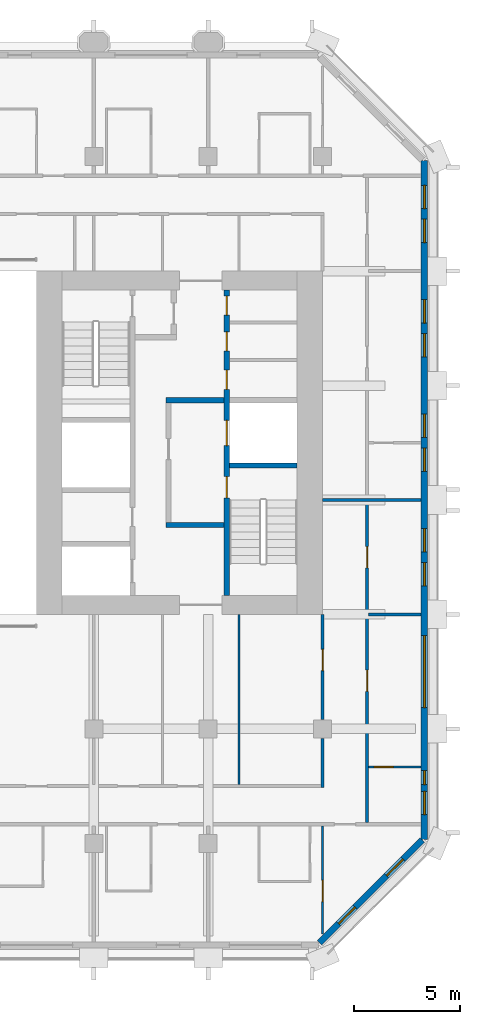
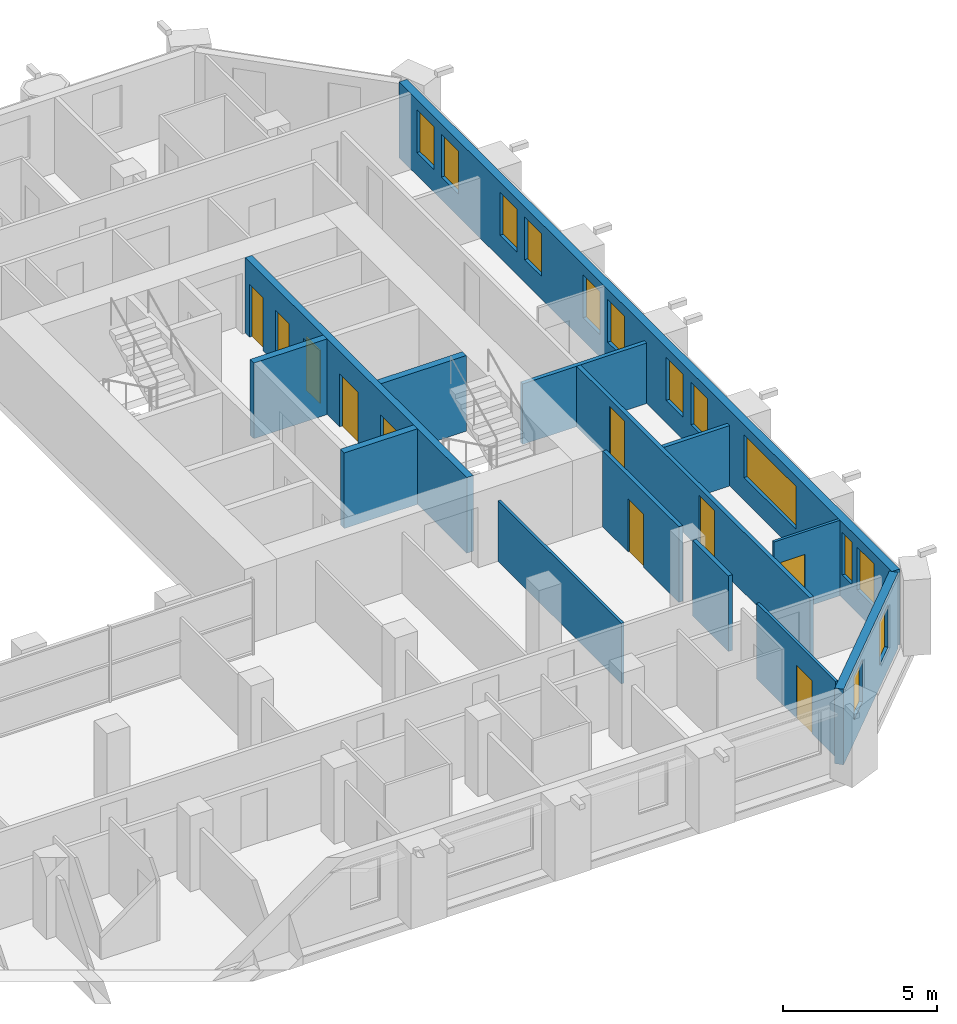
# One storey, part 8 of 13: 14 walls, 13 windows, 10 doors, 23 openings.
"""IFC4 building model written with IfcOpenShell, lengths in metres."""

import ifcopenshell
import ifcopenshell.guid

model = None  # the IFC model being written
_history = None  # IfcOwnerHistory: only IFC2X3 demands one
_inside = {}  # id of a spatial element -> (the spatial element, [elements in it])
_under = {}  # id of a project, library or spatial element -> (it, [spatial elements below it])
_declared = {}  # id of a project -> (the project, [libraries it declares])
_typed = {}  # id of a type object -> (the type object, [elements of that type])
_made_of = {}  # id of a material, layer set ... -> (it, [elements and type objects made of it])


def new_model(schema):
    """Start an empty IFC model of exactly this schema.

    Asked for "IFC4X3", IfcOpenShell would pick the latest addendum, in which some entities
    have other attributes; the version numbers below select the first issue.
    IFC2X3 requires an IfcOwnerHistory on every rooted entity: one is made here for all.
    """
    global model, _history
    if schema == "IFC4X3":
        model = ifcopenshell.file(schema_version=(4, 3, 0, 0))
    else:
        model = ifcopenshell.file(schema=schema)
    _inside.clear()
    _under.clear()
    _declared.clear()
    _typed.clear()
    _made_of.clear()
    _history = None
    if model.schema == "IFC2X3":
        org = make("IfcOrganization", Name="unknown")
        user = make(
            "IfcPersonAndOrganization",
            ThePerson=make("IfcPerson", FamilyName="unknown"),
            TheOrganization=org,
        )
        app = make(
            "IfcApplication",
            ApplicationDeveloper=org,
            Version="unknown",
            ApplicationFullName="unknown",
            ApplicationIdentifier="unknown",
        )
        _history = make(
            "IfcOwnerHistory",
            OwningUser=user,
            OwningApplication=app,
            ChangeAction="ADDED",
            CreationDate=0,
        )
    return model


def make(cls, **values):
    """One entity of the class cls with the attributes given. An attribute that is None is left unset."""
    return model.create_entity(
        cls, **{name: value for name, value in values.items() if value is not None}
    )


def rooted(cls, **values):
    """An entity with a GlobalId (a new one), such as an element, a storey or a relation."""
    return make(cls, GlobalId=ifcopenshell.guid.new(), OwnerHistory=_history, **values)


def si_unit(unit_type, name, prefix=None):
    """IfcSIUnit, for example si_unit("LENGTHUNIT", "METRE", prefix="MILLI")."""
    return make("IfcSIUnit", UnitType=unit_type, Prefix=prefix, Name=name)


def assignment(units):
    """IfcUnitAssignment: the units of a project."""
    return None if units is None else make("IfcUnitAssignment", Units=units)


def point(xyz):
    """IfcCartesianPoint."""
    return None if xyz is None else make("IfcCartesianPoint", Coordinates=xyz)


def direction(xyz):
    """IfcDirection."""
    return None if xyz is None else make("IfcDirection", DirectionRatios=xyz)


def frame(location, z_axis=None, x_axis=None):
    """IfcAxis2Placement3D, a coordinate frame: its origin and axes. An axis left out is left unset."""
    return make(
        "IfcAxis2Placement3D",
        Location=point(location),
        Axis=direction(z_axis),
        RefDirection=direction(x_axis),
    )


def frame_2d(location, x_axis=None):
    """IfcAxis2Placement2D, a coordinate frame in the plane: its origin and x axis."""
    return make(
        "IfcAxis2Placement2D", Location=point(location), RefDirection=direction(x_axis)
    )


def origin():
    """The frame at (0, 0, 0) with its axes left unset."""
    return frame((0.0, 0.0, 0.0))


def place(relative_to, where):
    """IfcLocalPlacement: puts the frame where relative to a parent placement (None: the world)."""
    return make(
        "IfcLocalPlacement", PlacementRelTo=relative_to, RelativePlacement=where
    )


def context(
    kind, dimensions, precision=None, world=None, true_north=None, identifier=None
):
    """IfcGeometricRepresentationContext, for example the 3D "Model" context."""
    return make(
        "IfcGeometricRepresentationContext",
        ContextIdentifier=identifier,
        ContextType=kind,
        CoordinateSpaceDimension=dimensions,
        Precision=precision,
        WorldCoordinateSystem=world,
        TrueNorth=true_north,
    )


def subcontext(parent, identifier, kind, view, scale=None):
    """IfcGeometricRepresentationSubContext, for example "Body" below "Model"."""
    return make(
        "IfcGeometricRepresentationSubContext",
        ContextIdentifier=identifier,
        ContextType=kind,
        ParentContext=parent,
        TargetScale=scale,
        TargetView=view,
    )


def project(units=None, contexts=None):
    """IfcProject with its units and contexts."""
    return rooted(
        "IfcProject",
        Name="project",
        RepresentationContexts=contexts,
        UnitsInContext=assignment(units),
    )


def spatial(cls, under=None, at=None, **own):
    """A site, building, storey or space (cls), placed at a placement, below another one or the project."""
    s = rooted(cls, ObjectPlacement=at, **own)
    if under is not None:
        _under.setdefault(under.id(), (under, []))[1].append(s)
    return s


def profile(cls, at=None, kind="AREA", **sizes):
    """A parametric profile (cls). Its sizes go by their IFC names, for example OverallWidth=200.0."""
    return make(cls, ProfileType=kind, Position=at, **sizes)


def rectangle(**sizes):
    """IfcRectangleProfileDef."""
    return profile("IfcRectangleProfileDef", **sizes)


def extrude(swept, where, along, depth):
    """IfcExtrudedAreaSolid: the profile swept, set in the frame where, extruded along a direction by depth."""
    return make(
        "IfcExtrudedAreaSolid",
        SweptArea=swept,
        Position=where,
        ExtrudedDirection=direction(along),
        Depth=depth,
    )


def shape(context_of_items, identifier, shape_type, items):
    """IfcShapeRepresentation: the items that make up one representation, for example the "Body"."""
    return make(
        "IfcShapeRepresentation",
        ContextOfItems=context_of_items,
        RepresentationIdentifier=identifier,
        RepresentationType=shape_type,
        Items=items,
    )


def material(Name=None, Category=None):
    """IfcMaterial."""
    return make("IfcMaterial", Name=Name, Category=Category)


def layer(
    of_material, thickness, ventilated=None, Name=None, Category=None, Priority=None
):
    """IfcMaterialLayer: one layer of a wall or slab, of a material (None: an air gap)."""
    return make(
        "IfcMaterialLayer",
        Material=of_material,
        LayerThickness=thickness,
        IsVentilated=ventilated,
        Name=Name,
        Category=Category,
        Priority=Priority,
    )


def layer_set(layers, Name=None):
    """IfcMaterialLayerSet."""
    return make("IfcMaterialLayerSet", MaterialLayers=layers, LayerSetName=Name)


def made_of(thing, what):
    """Note that an element or type object is made of a material, layer set ...; save() writes the relation."""
    if what is not None:
        _made_of.setdefault(what.id(), (what, []))[1].append(thing)
    return thing


def type_object(cls, material=None, **own):
    """A type object (cls), such as IfcWallType, which elements share."""
    return made_of(rooted(cls, **own), material)


def element(
    cls,
    number,
    at=None,
    inside=None,
    cuts=None,
    type_object=None,
    material=None,
    context=None,
    identifier="Body",
    shape_type=None,
    held_by="IfcProductDefinitionShape",
    body=None,
    shapes=None,
    **own,
):
    """One element of the class cls, such as IfcWall. Its Tag is "e" and its number.

    at: its placement. inside: the storey or other place that contains it. cuts: it is an
    opening in that element (IfcRelVoidsElement). A single representation is given by context,
    identifier, shape_type and body (its items); several are given by shapes. held_by: the class
    of the entity that holds the representations. save() writes the other relations.
    """
    e = rooted(cls, Tag="e%d" % number, ObjectPlacement=at, **own)
    if body is not None:
        shapes = [shape(context, identifier, shape_type, body)]
    if shapes is not None:
        e.Representation = make(held_by, Representations=shapes)
    if inside is not None:
        _inside.setdefault(inside.id(), (inside, []))[1].append(e)
    if cuts is not None:
        rooted(
            "IfcRelVoidsElement", RelatingBuildingElement=cuts, RelatedOpeningElement=e
        )
    if type_object is not None:
        _typed.setdefault(type_object.id(), (type_object, []))[1].append(e)
    return made_of(e, material)


def fill(opening, filler):
    """IfcRelFillsElement: the door or window that sits in an opening."""
    return rooted(
        "IfcRelFillsElement",
        RelatingOpeningElement=opening,
        RelatedBuildingElement=filler,
    )


def aggregate(whole, parts):
    """IfcRelAggregates: a whole, such as a stair, and the parts it consists of."""
    return rooted("IfcRelAggregates", RelatingObject=whole, RelatedObjects=parts)


def save(model, path):
    """Write the relations noted so far, then the file.

    IfcRelAggregates (storeys below a building ...), IfcRelContainedInSpatialStructure (elements
    in a storey), IfcRelDefinesByType, IfcRelAssociatesMaterial and IfcRelDeclares: one each for
    every whole, place, type object, material and project.
    """
    for whole, parts in _under.values():
        aggregate(whole, parts)
    for where, things in _inside.values():
        rooted(
            "IfcRelContainedInSpatialStructure",
            RelatedElements=things,
            RelatingStructure=where,
        )
    for kind, things in _typed.values():
        rooted("IfcRelDefinesByType", RelatedObjects=things, RelatingType=kind)
    for what, things in _made_of.values():
        rooted("IfcRelAssociatesMaterial", RelatedObjects=things, RelatingMaterial=what)
    for by, libraries in _declared.values():
        rooted("IfcRelDeclares", RelatingContext=by, RelatedDefinitions=libraries)
    model.write(path)


model = new_model("IFC4")

# Units and contexts
model_context = context("Model", 3, precision=1e-05, world=origin(), true_north=direction((0.0, 1.0)))
body_context = subcontext(model_context, "Body", "Model", "MODEL_VIEW")
ifc_project = project(units=[si_unit("LENGTHUNIT", "METRE"), si_unit("AREAUNIT", "SQUARE_METRE"), si_unit("VOLUMEUNIT", "CUBIC_METRE"), si_unit("PLANEANGLEUNIT", "RADIAN"), si_unit("MASSUNIT", "GRAM", prefix="KILO")], contexts=[model_context])

# Site, building, storey
site_placement = place(None, origin())
site = spatial("IfcSite", under=ifc_project, at=site_placement, CompositionType="ELEMENT")
building_placement = place(site_placement, origin())
building = spatial("IfcBuilding", under=site, at=building_placement, Name="Tabaq Tower and Sports Hall", CompositionType="ELEMENT")
storey_placement = place(building_placement, frame((0.0, 0.0, 162.699951171875)))
storey = spatial("IfcBuildingStorey", under=building, at=storey_placement, Name="L38", CompositionType="ELEMENT", Elevation=162.699951171875)

# Wall, opening, door
ifc_material_1 = material(Name="Gypsum board on steel studs", Category="steel")
ifc_layer_1 = layer(ifc_material_1, 0.10009765625)
ifc_layer_set_1 = layer_set([ifc_layer_1], Name="Partition 100 Gypsum board")
wall_type_1 = type_object("IfcWallType", Name="Partition 100 Gypsum board", PredefinedType="PARTITIONING", material=ifc_layer_set_1)
wall_1_placement = place(storey_placement, frame((45.375, 9.0, 0.0), z_axis=(0.0, 0.0, 1.0), x_axis=(1.0, 0.0, 0.0)))
wall_1 = element("IfcWall", 1, at=wall_1_placement, inside=storey, type_object=wall_type_1, Name="Partition wall L38", PredefinedType="PARTITIONING", context=body_context, shape_type="SweptSolid", body=[
    extrude(rectangle(XDim=2.47412109375, YDim=0.10009765625, at=frame_2d((1.237060546875, 0.0))), origin(), (0.0, 0.0, 1.0), 3.0),
])
opening_1_placement = place(wall_1_placement, frame((0.25, 0.0, 0.0)))
opening_1 = element("IfcOpeningElement", 2, at=opening_1_placement, cuts=wall_1, Name="Opening L38-015", PredefinedType="OPENING", context=body_context, shape_type="SweptSolid", body=[
    extrude(rectangle(XDim=0.89990234375, YDim=2.10009765625, at=frame_2d((0.449951171875, 1.050048828125))), frame((0.0, 0.050048828125, 0.0), z_axis=(0.0, -1.0, 0.0), x_axis=(1.0, 0.0, 0.0)), (0.0, 0.0, 1.0), 0.10009765625),
])
ifc_material_2 = material(Name="Timber leaf in steel frame", Category="steel")
door_type_1 = type_object("IfcDoorType", Name="Internal door 900 right hand", OperationType="SINGLE_SWING_RIGHT", PredefinedType="DOOR", material=ifc_material_2)
door_1_placement = place(opening_1_placement, origin())
door_1 = element("IfcDoor", 3, at=door_1_placement, inside=storey, type_object=door_type_1, Name="Internal door L38-015", OperationType="SINGLE_SWING_RIGHT", OverallHeight=2.10009765625, OverallWidth=0.89990234375, PredefinedType="DOOR", context=body_context, shape_type="SweptSolid", body=[
    extrude(rectangle(XDim=0.89990234375, YDim=2.10009765625, at=frame_2d((0.449951171875, 1.050048828125))), frame((0.0, 0.02490234375, 0.0), z_axis=(0.0, -1.0, 0.0), x_axis=(1.0, 0.0, 0.0)), (0.0, 0.0, 1.0), 0.050048828125),
])
fill(opening_1, door_1)

wall_2_placement = place(storey_placement, frame((43.199951171875, 1.112060546875, 0.0), z_axis=(0.0, 0.0, 1.0), x_axis=(0.0, 1.0, 0.0)))
wall_2 = element("IfcWall", 4, at=wall_2_placement, inside=storey, type_object=wall_type_1, Name="Partition wall L38", PredefinedType="PARTITIONING", context=body_context, shape_type="SweptSolid", body=[
    extrude(rectangle(XDim=5.113037109375, YDim=0.10009765625, at=frame_2d((2.556640625, 0.0))), origin(), (0.0, 0.0, 1.0), 3.0),
])
opening_2_placement = place(wall_2_placement, frame((1.537841796875, 0.0, 0.0)))
opening_2 = element("IfcOpeningElement", 5, at=opening_2_placement, cuts=wall_2, Name="Opening L38-046", PredefinedType="OPENING", context=body_context, shape_type="SweptSolid", body=[
    extrude(rectangle(XDim=1.0, YDim=2.10009765625, at=frame_2d((0.5, 1.050048828125))), frame((0.0, 0.050048828125, 0.0), z_axis=(0.0, -1.0, 0.0), x_axis=(1.0, 0.0, 0.0)), (0.0, 0.0, 1.0), 0.10009765625),
])
ifc_material_3 = material(Name="Timber leaf in steel frame", Category="steel")
door_type_2 = type_object("IfcDoorType", Name="Internal door 1000 left hand", OperationType="SINGLE_SWING_LEFT", PredefinedType="DOOR", material=ifc_material_3)
door_2_placement = place(opening_2_placement, origin())
door_2 = element("IfcDoor", 6, at=door_2_placement, inside=storey, type_object=door_type_2, Name="Internal door L38-046", OperationType="SINGLE_SWING_LEFT", OverallHeight=2.10009765625, OverallWidth=1.0, PredefinedType="DOOR", context=body_context, shape_type="SweptSolid", body=[
    extrude(rectangle(XDim=1.0, YDim=2.10009765625, at=frame_2d((0.5, 1.050048828125))), frame((0.0, 0.02490234375, 0.0), z_axis=(0.0, -1.0, 0.0), x_axis=(1.0, 0.0, 0.0)), (0.0, 0.0, 1.0), 0.050048828125),
])
fill(opening_2, door_2)

# Walls
wall_3_placement = place(storey_placement, frame((39.25, 8.175048828125, 0.0), z_axis=(0.0, 0.0, 1.0), x_axis=(0.0, 1.0, 0.0)))
element("IfcWall", 7, at=wall_3_placement, inside=storey, type_object=wall_type_1, Name="Partition wall L38", PredefinedType="PARTITIONING", context=body_context, shape_type="SweptSolid", body=[
    extrude(rectangle(XDim=8.02490234375, YDim=0.10009765625, at=frame_2d((4.012451171875, 0.0))), origin(), (0.0, 0.0, 1.0), 2.400146484375),
])
ifc_material_4 = material(Name="Blockwork", Category="masonry")
ifc_layer_2 = layer(ifc_material_4, 0.14990234375)
ifc_layer_set_2 = layer_set([ifc_layer_2], Name="Separating wall 150 Blockwork")
wall_type_2 = type_object("IfcWallType", Name="Separating wall 150 Blockwork", PredefinedType="PARTITIONING", material=ifc_layer_set_2)
wall_4_placement = place(storey_placement, frame((43.199951171875, 21.60009765625, 0.0), z_axis=(0.0, 0.0, 1.0), x_axis=(1.0, 0.0, 0.0)))
element("IfcWall", 8, at=wall_4_placement, inside=storey, type_object=wall_type_2, Name="Separating wall L38", PredefinedType="PARTITIONING", context=body_context, shape_type="SweptSolid", body=[
    extrude(rectangle(XDim=4.649169921875, YDim=0.14990234375, at=frame_2d((2.32470703125, 0.0))), origin(), (0.0, 0.0, 1.0), 2.400146484375),
])
wall_5_placement = place(storey_placement, frame((47.84912109375, 16.199951171875, 0.0), z_axis=(0.0, 0.0, 1.0), x_axis=(-1.0, 0.0, 0.0)))
element("IfcWall", 9, at=wall_5_placement, inside=storey, type_object=wall_type_2, Name="Separating wall L38", PredefinedType="PARTITIONING", context=body_context, shape_type="SweptSolid", body=[
    extrude(rectangle(XDim=2.47412109375, YDim=0.14990234375, at=frame_2d((1.237060546875, 0.0))), origin(), (0.0, 0.0, 1.0), 2.400146484375),
])

# Wall, openings, doors
wall_6_placement = place(storey_placement, frame((45.300048828125, 21.52490234375, 0.0), z_axis=(0.0, 0.0, 1.0), x_axis=(0.0, -1.0, 0.0)))
wall_6 = element("IfcWall", 10, at=wall_6_placement, inside=storey, type_object=wall_type_2, Name="Separating wall L38", PredefinedType="PARTITIONING", context=body_context, shape_type="SweptSolid", body=[
    extrude(rectangle(XDim=15.14990234375, YDim=0.14990234375, at=frame_2d((7.574951171875, 0.0))), origin(), (0.0, 0.0, 1.0), 2.400146484375),
])
opening_3_placement = place(wall_6_placement, frame((2.125, 0.0, 0.0)))
opening_3 = element("IfcOpeningElement", 11, at=opening_3_placement, cuts=wall_6, Name="Opening L38-023", PredefinedType="OPENING", context=body_context, shape_type="SweptSolid", body=[
    extrude(rectangle(XDim=1.0, YDim=2.10009765625, at=frame_2d((0.5, 1.050048828125))), frame((0.0, 0.074951171875, 0.0), z_axis=(0.0, -1.0, 0.0), x_axis=(1.0, 0.0, 0.0)), (0.0, 0.0, 1.0), 0.14990234375),
])
opening_4_placement = place(wall_6_placement, frame((7.9580078125, 0.0, 0.0)))
opening_4 = element("IfcOpeningElement", 12, at=opening_4_placement, cuts=wall_6, Name="Opening L38-039", PredefinedType="OPENING", context=body_context, shape_type="SweptSolid", body=[
    extrude(rectangle(XDim=1.0, YDim=2.10009765625, at=frame_2d((0.5, 1.050048828125))), frame((0.0, 0.074951171875, 0.0), z_axis=(0.0, -1.0, 0.0), x_axis=(1.0, 0.0, 0.0)), (0.0, 0.0, 1.0), 0.14990234375),
])
ifc_material_5 = material(Name="Steel fire door", Category="steel")
door_type_3 = type_object("IfcDoorType", Name="Entrance door 1000 left hand", OperationType="SINGLE_SWING_LEFT", PredefinedType="DOOR", material=ifc_material_5)
door_3_placement = place(opening_4_placement, origin())
door_3 = element("IfcDoor", 13, at=door_3_placement, inside=storey, type_object=door_type_3, Name="Entrance door L38-039", OperationType="SINGLE_SWING_LEFT", OverallHeight=2.10009765625, OverallWidth=1.0, PredefinedType="DOOR", context=body_context, shape_type="SweptSolid", body=[
    extrude(rectangle(XDim=1.0, YDim=2.10009765625, at=frame_2d((0.5, 1.050048828125))), frame((0.0, 0.02490234375, 0.0), z_axis=(0.0, -1.0, 0.0), x_axis=(1.0, 0.0, 0.0)), (0.0, 0.0, 1.0), 0.050048828125),
])
fill(opening_4, door_3)
ifc_material_6 = material(Name="Timber leaf in steel frame", Category="steel")
door_type_4 = type_object("IfcDoorType", Name="Internal door 1000 right hand", OperationType="SINGLE_SWING_RIGHT", PredefinedType="DOOR", material=ifc_material_6)
door_4_placement = place(opening_3_placement, origin())
door_4 = element("IfcDoor", 14, at=door_4_placement, inside=storey, type_object=door_type_4, Name="Internal door L38-023", OperationType="SINGLE_SWING_RIGHT", OverallHeight=2.10009765625, OverallWidth=1.0, PredefinedType="DOOR", context=body_context, shape_type="SweptSolid", body=[
    extrude(rectangle(XDim=1.0, YDim=2.10009765625, at=frame_2d((0.5, 1.050048828125))), frame((0.0, 0.02490234375, 0.0), z_axis=(0.0, -1.0, 0.0), x_axis=(1.0, 0.0, 0.0)), (0.0, 0.0, 1.0), 0.050048828125),
])
fill(opening_3, door_4)

# Wall, opening, door
wall_7_placement = place(storey_placement, frame((43.199951171875, 16.199951171875, 0.0), z_axis=(0.0, 0.0, 1.0), x_axis=(0.0, -1.0, 0.0)))
wall_7 = element("IfcWall", 15, at=wall_7_placement, inside=storey, type_object=wall_type_2, Name="Separating wall L38", PredefinedType="PARTITIONING", context=body_context, shape_type="SweptSolid", body=[
    extrude(rectangle(XDim=4.954833984375, YDim=0.14990234375, at=frame_2d((2.4775390625, 0.0))), origin(), (0.0, 0.0, 1.0), 3.0),
])
opening_5_placement = place(wall_7_placement, frame((1.654052734375, 0.0, 0.0)))
opening_5 = element("IfcOpeningElement", 16, at=opening_5_placement, cuts=wall_7, Name="Opening L38-026", PredefinedType="OPENING", context=body_context, shape_type="SweptSolid", body=[
    extrude(rectangle(XDim=1.0, YDim=2.10009765625, at=frame_2d((0.5, 1.050048828125))), frame((0.0, 0.074951171875, 0.0), z_axis=(0.0, -1.0, 0.0), x_axis=(1.0, 0.0, 0.0)), (0.0, 0.0, 1.0), 0.14990234375),
])
door_5_placement = place(opening_5_placement, origin())
door_5 = element("IfcDoor", 17, at=door_5_placement, inside=storey, type_object=door_type_2, Name="Internal door L38-026", OperationType="SINGLE_SWING_LEFT", OverallHeight=2.10009765625, OverallWidth=1.0, PredefinedType="DOOR", context=body_context, shape_type="SweptSolid", body=[
    extrude(rectangle(XDim=1.0, YDim=2.10009765625, at=frame_2d((0.5, 1.050048828125))), frame((0.0, 0.02490234375, 0.0), z_axis=(0.0, -1.0, 0.0), x_axis=(1.0, 0.0, 0.0)), (0.0, 0.0, 1.0), 0.050048828125),
])
fill(opening_5, door_5)

# Wall
wall_8_placement = place(storey_placement, frame((43.199951171875, 10.35498046875, 0.0), z_axis=(0.0, 0.0, 1.0), x_axis=(0.0, -1.0, 0.0)))
element("IfcWall", 18, at=wall_8_placement, inside=storey, type_object=wall_type_2, Name="Separating wall L38", PredefinedType="PARTITIONING", context=body_context, shape_type="SweptSolid", body=[
    extrude(rectangle(XDim=2.330078125, YDim=0.14990234375, at=frame_2d((1.1650390625, 0.0))), origin(), (0.0, 0.0, 1.0), 3.0),
])

# Wall, openings, doors
ifc_material_7 = material(Name="Concrete C40/50", Category="concrete")
ifc_layer_3 = layer(ifc_material_7, 0.25)
ifc_layer_set_3 = layer_set([ifc_layer_3], Name="Shaft and stair wall 250 Concrete C40/50")
wall_type_3 = type_object("IfcWallType", Name="Shaft and stair wall 250 Concrete C40/50", PredefinedType="SOLIDWALL", material=ifc_layer_set_3)
wall_9_placement = place(storey_placement, frame((38.675048828125, 17.10009765625, 0.0), z_axis=(0.0, 0.0, 1.0), x_axis=(0.0, 1.0, 0.0)))
wall_9 = element("IfcWall", 19, at=wall_9_placement, inside=storey, type_object=wall_type_3, Name="Shaft wall E L38", PredefinedType="SOLIDWALL", context=body_context, shape_type="SweptSolid", body=[
    extrude(rectangle(XDim=14.39990234375, YDim=0.25, at=frame_2d((7.199951171875, 0.0))), origin(), (0.0, 0.0, 1.0), 3.0),
])
opening_6_placement = place(wall_9_placement, frame((4.60009765625, 0.0, 0.0)))
opening_6 = element("IfcOpeningElement", 20, at=opening_6_placement, cuts=wall_9, Name="Opening SD-EL38-03", PredefinedType="OPENING", context=body_context, shape_type="SweptSolid", body=[
    extrude(rectangle(XDim=1.0, YDim=2.10009765625, at=frame_2d((0.5, 1.050048828125))), frame((0.0, 0.125, 0.0), z_axis=(0.0, -1.0, 0.0), x_axis=(1.0, 0.0, 0.0)), (0.0, 0.0, 1.0), 0.25),
])
opening_7_placement = place(wall_9_placement, frame((7.0625, 0.0, 0.0)))
opening_7 = element("IfcOpeningElement", 21, at=opening_7_placement, cuts=wall_9, Name="Opening LD-FF2-L38", PredefinedType="OPENING", context=body_context, shape_type="SweptSolid", body=[
    extrude(rectangle(XDim=1.199951171875, YDim=2.10009765625, at=frame_2d((0.60009765625, 1.050048828125))), frame((0.0, 0.125, 0.0), z_axis=(0.0, -1.0, 0.0), x_axis=(1.0, 0.0, 0.0)), (0.0, 0.0, 1.0), 0.25),
])
opening_8_placement = place(wall_9_placement, frame((9.7255859375, 0.0, 0.0)))
opening_8 = element("IfcOpeningElement", 22, at=opening_8_placement, cuts=wall_9, Name="Opening RD-EL38-09", PredefinedType="OPENING", context=body_context, shape_type="SweptSolid", body=[
    extrude(rectangle(XDim=0.89990234375, YDim=2.10009765625, at=frame_2d((0.449951171875, 1.050048828125))), frame((0.0, 0.125, 0.0), z_axis=(0.0, -1.0, 0.0), x_axis=(1.0, 0.0, 0.0)), (0.0, 0.0, 1.0), 0.25),
])
opening_9_placement = place(wall_9_placement, frame((11.5390625, 0.0, 0.0)))
opening_9 = element("IfcOpeningElement", 23, at=opening_9_placement, cuts=wall_9, Name="Opening RD-EL38-10", PredefinedType="OPENING", context=body_context, shape_type="SweptSolid", body=[
    extrude(rectangle(XDim=0.89990234375, YDim=2.10009765625, at=frame_2d((0.449951171875, 1.050048828125))), frame((0.0, 0.125, 0.0), z_axis=(0.0, -1.0, 0.0), x_axis=(1.0, 0.0, 0.0)), (0.0, 0.0, 1.0), 0.25),
])
opening_10_placement = place(wall_9_placement, frame((13.22607421875, 0.0, 0.0)))
opening_10 = element("IfcOpeningElement", 24, at=opening_10_placement, cuts=wall_9, Name="Opening RD-EL38-11", PredefinedType="OPENING", context=body_context, shape_type="SweptSolid", body=[
    extrude(rectangle(XDim=0.89990234375, YDim=2.10009765625, at=frame_2d((0.449951171875, 1.050048828125))), frame((0.0, 0.125, 0.0), z_axis=(0.0, -1.0, 0.0), x_axis=(1.0, 0.0, 0.0)), (0.0, 0.0, 1.0), 0.25),
])
ifc_material_8 = material(Name="Steel fire door", Category="steel")
door_type_5 = type_object("IfcDoorType", Name="Core room door 900", OperationType="SINGLE_SWING_LEFT", PredefinedType="DOOR", material=ifc_material_8)
door_6_placement = place(opening_8_placement, origin())
door_6 = element("IfcDoor", 25, at=door_6_placement, inside=storey, type_object=door_type_5, Name="Door Accessible WC E L38", OperationType="SINGLE_SWING_LEFT", OverallHeight=2.10009765625, OverallWidth=0.89990234375, PredefinedType="DOOR", context=body_context, shape_type="SweptSolid", body=[
    extrude(rectangle(XDim=0.89990234375, YDim=2.10009765625, at=frame_2d((0.449951171875, 1.050048828125))), frame((0.0, 0.02490234375, 0.0), z_axis=(0.0, -1.0, 0.0), x_axis=(1.0, 0.0, 0.0)), (0.0, 0.0, 1.0), 0.050048828125),
])
fill(opening_8, door_6)
door_7_placement = place(opening_9_placement, origin())
door_7 = element("IfcDoor", 26, at=door_7_placement, inside=storey, type_object=door_type_5, Name="Door Unisex WC E L38", OperationType="SINGLE_SWING_LEFT", OverallHeight=2.10009765625, OverallWidth=0.89990234375, PredefinedType="DOOR", context=body_context, shape_type="SweptSolid", body=[
    extrude(rectangle(XDim=0.89990234375, YDim=2.10009765625, at=frame_2d((0.449951171875, 1.050048828125))), frame((0.0, 0.02490234375, 0.0), z_axis=(0.0, -1.0, 0.0), x_axis=(1.0, 0.0, 0.0)), (0.0, 0.0, 1.0), 0.050048828125),
])
fill(opening_9, door_7)
door_8_placement = place(opening_10_placement, origin())
door_8 = element("IfcDoor", 27, at=door_8_placement, inside=storey, type_object=door_type_5, Name="Door Cleaner's Store E L38", OperationType="SINGLE_SWING_LEFT", OverallHeight=2.10009765625, OverallWidth=0.89990234375, PredefinedType="DOOR", context=body_context, shape_type="SweptSolid", body=[
    extrude(rectangle(XDim=0.89990234375, YDim=2.10009765625, at=frame_2d((0.449951171875, 1.050048828125))), frame((0.0, 0.02490234375, 0.0), z_axis=(0.0, -1.0, 0.0), x_axis=(1.0, 0.0, 0.0)), (0.0, 0.0, 1.0), 0.050048828125),
])
fill(opening_10, door_8)
ifc_material_9 = material(Name="Stainless steel", Category="steel")
door_type_6 = type_object("IfcDoorType", Name="Lift landing door 1200", OperationType="DOUBLE_DOOR_SLIDING", PredefinedType="DOOR", material=ifc_material_9)
door_9_placement = place(opening_7_placement, origin())
door_9 = element("IfcDoor", 28, at=door_9_placement, inside=storey, type_object=door_type_6, Name="Lift landing door FF2 E L38", OperationType="DOUBLE_DOOR_SLIDING", OverallHeight=2.10009765625, OverallWidth=1.199951171875, PredefinedType="DOOR", context=body_context, shape_type="SweptSolid", body=[
    extrude(rectangle(XDim=1.199951171875, YDim=2.10009765625, at=frame_2d((0.60009765625, 1.050048828125))), frame((0.0, 0.02490234375, 0.0), z_axis=(0.0, -1.0, 0.0), x_axis=(1.0, 0.0, 0.0)), (0.0, 0.0, 1.0), 0.050048828125),
])
fill(opening_7, door_9)
ifc_material_10 = material(Name="Steel fire door", Category="steel")
door_type_7 = type_object("IfcDoorType", Name="Stair door 1000", OperationType="SINGLE_SWING_LEFT", PredefinedType="DOOR", material=ifc_material_10)
door_10_placement = place(opening_6_placement, origin())
door_10 = element("IfcDoor", 29, at=door_10_placement, inside=storey, type_object=door_type_7, Name="Stair door ST3 E L38", OperationType="SINGLE_SWING_LEFT", OverallHeight=2.10009765625, OverallWidth=1.0, PredefinedType="DOOR", context=body_context, shape_type="SweptSolid", body=[
    extrude(rectangle(XDim=1.0, YDim=2.10009765625, at=frame_2d((0.5, 1.050048828125))), frame((0.0, 0.02490234375, 0.0), z_axis=(0.0, -1.0, 0.0), x_axis=(1.0, 0.0, 0.0)), (0.0, 0.0, 1.0), 0.050048828125),
])
fill(opening_6, door_10)

# Walls
wall_10_placement = place(storey_placement, frame((38.800048828125, 23.22509765625, 0.0), z_axis=(0.0, 0.0, 1.0), x_axis=(1.0, 0.0, 0.0)))
element("IfcWall", 30, at=wall_10_placement, inside=storey, type_object=wall_type_3, Name="Stair enclosure wall E L38", PredefinedType="SOLIDWALL", context=body_context, shape_type="SweptSolid", body=[
    extrude(rectangle(XDim=3.199951171875, YDim=0.25, at=frame_2d((1.60009765625, 0.0))), origin(), (0.0, 0.0, 1.0), 3.0),
])
for number, where, z_axis, x_axis, name in (
    (31, (35.800048828125, 26.300048828125, 0.0), (0.0, 0.0, 1.0), (1.0, 0.0, 0.0), "Fire-fighting lobby wall E L38"),
    (32, (35.800048828125, 20.425048828125, 0.0), (0.0, 0.0, 1.0), (1.0, 0.0, 0.0), "Fire-fighting lobby wall E L38"),
):
    element("IfcWall", number, at=place(storey_placement, frame(where, z_axis=z_axis, x_axis=x_axis)), inside=storey, type_object=wall_type_3, Name=name, PredefinedType="SOLIDWALL", context=body_context, shape_type="SweptSolid", body=[
        extrude(rectangle(XDim=2.75, YDim=0.25, at=frame_2d((1.375, 0.0))), origin(), (0.0, 0.0, 1.0), 3.0),
    ])

# Wall, openings, windows
ifc_material_11 = material(Name="White precast concrete C60/75", Category="concrete")
ifc_layer_4 = layer(ifc_material_11, 0.300048828125)
ifc_layer_set_4 = layer_set([ifc_layer_4], Name="White precast concrete C60/75 external wall 300")
wall_type_4 = type_object("IfcWallType", Name="White precast concrete C60/75 external wall 300", PredefinedType="SOLIDWALL", material=ifc_layer_set_4)
wall_11_placement = place(storey_placement, frame((43.050537109375, 0.698974609375, 0.0), z_axis=(0.0, 0.0, 1.0), x_axis=(0.707106781187, 0.707106781187, 0.0)))
wall_11 = element("IfcWall", 33, at=wall_11_placement, inside=storey, type_object=wall_type_4, Name="External Wall L38 SE", PredefinedType="SOLIDWALL", context=body_context, shape_type="SweptSolid", body=[
    extrude(rectangle(XDim=6.85986328125, YDim=0.300048828125, at=frame_2d((3.429931640625, 0.0))), origin(), (0.0, 0.0, 1.0), 3.0),
])
opening_11_placement = place(wall_11_placement, frame((1.27978515625, 0.0, 0.89990234375)))
opening_11 = element("IfcOpeningElement", 34, at=opening_11_placement, cuts=wall_11, Name="Opening W1B", PredefinedType="OPENING", context=body_context, shape_type="SweptSolid", body=[
    extrude(rectangle(XDim=1.10009765625, YDim=1.699951171875, at=frame_2d((0.550048828125, 0.85009765625))), frame((0.0, 0.16015625, 0.0), z_axis=(0.0, -1.0, 0.0), x_axis=(1.0, 0.0, 0.0)), (0.0, 0.0, 1.0), 0.320068359375),
])
opening_12_placement = place(wall_11_placement, frame((4.479736328125, 0.0, 0.89990234375)))
opening_12 = element("IfcOpeningElement", 35, at=opening_12_placement, cuts=wall_11, Name="Opening W1B", PredefinedType="OPENING", context=body_context, shape_type="SweptSolid", body=[
    extrude(rectangle(XDim=1.10009765625, YDim=1.699951171875, at=frame_2d((0.550048828125, 0.85009765625))), frame((0.0, 0.16015625, 0.0), z_axis=(0.0, -1.0, 0.0), x_axis=(1.0, 0.0, 0.0)), (0.0, 0.0, 1.0), 0.320068359375),
])
ifc_material_12 = material(Name="Aluminium framed clear glazing", Category="aluminium")
window_type_1 = type_object("IfcWindowType", Name="Window W1B", PartitioningType="SINGLE_PANEL", PredefinedType="WINDOW", material=ifc_material_12)
window_1_placement = place(opening_11_placement, origin())
window_1 = element("IfcWindow", 36, at=window_1_placement, inside=storey, type_object=window_type_1, Name="Window W1B L38", OverallHeight=1.699951171875, OverallWidth=1.10009765625, PartitioningType="SINGLE_PANEL", PredefinedType="WINDOW", context=body_context, shape_type="SweptSolid", body=[
    extrude(rectangle(XDim=1.10009765625, YDim=1.699951171875, at=frame_2d((0.550048828125, 0.85009765625))), frame((0.0, 0.030029296875, 0.0), z_axis=(0.0, -1.0, 0.0), x_axis=(1.0, 0.0, 0.0)), (0.0, 0.0, 1.0), 0.06005859375),
])
fill(opening_11, window_1)
window_2_placement = place(opening_12_placement, origin())
window_2 = element("IfcWindow", 37, at=window_2_placement, inside=storey, type_object=window_type_1, Name="Window W1B L38", OverallHeight=1.699951171875, OverallWidth=1.10009765625, PartitioningType="SINGLE_PANEL", PredefinedType="WINDOW", context=body_context, shape_type="SweptSolid", body=[
    extrude(rectangle(XDim=1.10009765625, YDim=1.699951171875, at=frame_2d((0.550048828125, 0.85009765625))), frame((0.0, 0.030029296875, 0.0), z_axis=(0.0, -1.0, 0.0), x_axis=(1.0, 0.0, 0.0)), (0.0, 0.0, 1.0), 0.06005859375),
])
fill(opening_12, window_2)

wall_12_placement = place(storey_placement, frame((48.0, 5.58642578125, 0.0), z_axis=(0.0, 0.0, 1.0), x_axis=(0.0, 1.0, 0.0)))
wall_12 = element("IfcWall", 38, at=wall_12_placement, inside=storey, type_object=wall_type_4, Name="External Wall L38 E", PredefinedType="SOLIDWALL", context=body_context, shape_type="SweptSolid", body=[
    extrude(rectangle(XDim=32.027099609375, YDim=0.300048828125, at=frame_2d((16.013671875, 0.0))), origin(), (0.0, 0.0, 1.0), 3.0),
])
opening_13_placement = place(wall_12_placement, frame((1.16357421875, 0.0, 0.89990234375)))
opening_13 = element("IfcOpeningElement", 39, at=opening_13_placement, cuts=wall_12, Name="Opening W1B", PredefinedType="OPENING", context=body_context, shape_type="SweptSolid", body=[
    extrude(rectangle(XDim=1.10009765625, YDim=1.699951171875, at=frame_2d((0.550048828125, 0.85009765625))), frame((0.0, 0.16015625, 0.0), z_axis=(0.0, -1.0, 0.0), x_axis=(1.0, 0.0, 0.0)), (0.0, 0.0, 1.0), 0.320068359375),
])
opening_14_placement = place(wall_12_placement, frame((2.588623046875, 0.0, 0.89990234375)))
opening_14 = element("IfcOpeningElement", 40, at=opening_14_placement, cuts=wall_12, Name="Opening W1C", PredefinedType="OPENING", context=body_context, shape_type="SweptSolid", body=[
    extrude(rectangle(XDim=0.64990234375, YDim=1.699951171875, at=frame_2d((0.324951171875, 0.85009765625))), frame((0.0, 0.16015625, 0.0), z_axis=(0.0, -1.0, 0.0), x_axis=(1.0, 0.0, 0.0)), (0.0, 0.0, 1.0), 0.320068359375),
])
opening_15_placement = place(wall_12_placement, frame((6.213623046875, 0.0, 0.89990234375)))
opening_15 = element("IfcOpeningElement", 41, at=opening_15_placement, cuts=wall_12, Name="Opening W1A", PredefinedType="OPENING", context=body_context, shape_type="SweptSolid", body=[
    extrude(rectangle(XDim=3.39990234375, YDim=1.699951171875, at=frame_2d((1.699951171875, 0.85009765625))), frame((0.0, 0.16015625, 0.0), z_axis=(0.0, -1.0, 0.0), x_axis=(1.0, 0.0, 0.0)), (0.0, 0.0, 1.0), 0.320068359375),
])
opening_16_placement = place(wall_12_placement, frame((11.963623046875, 0.0, 0.89990234375)))
opening_16 = element("IfcOpeningElement", 42, at=opening_16_placement, cuts=wall_12, Name="Opening W1B", PredefinedType="OPENING", context=body_context, shape_type="SweptSolid", body=[
    extrude(rectangle(XDim=1.10009765625, YDim=1.699951171875, at=frame_2d((0.550048828125, 0.85009765625))), frame((0.0, 0.16015625, 0.0), z_axis=(0.0, -1.0, 0.0), x_axis=(1.0, 0.0, 0.0)), (0.0, 0.0, 1.0), 0.320068359375),
])
opening_17_placement = place(wall_12_placement, frame((13.563720703125, 0.0, 0.89990234375)))
opening_17 = element("IfcOpeningElement", 43, at=opening_17_placement, cuts=wall_12, Name="Opening W1B", PredefinedType="OPENING", context=body_context, shape_type="SweptSolid", body=[
    extrude(rectangle(XDim=1.10009765625, YDim=1.699951171875, at=frame_2d((0.550048828125, 0.85009765625))), frame((0.0, 0.16015625, 0.0), z_axis=(0.0, -1.0, 0.0), x_axis=(1.0, 0.0, 0.0)), (0.0, 0.0, 1.0), 0.320068359375),
])
opening_18_placement = place(wall_12_placement, frame((17.363525390625, 0.0, 0.89990234375)))
opening_18 = element("IfcOpeningElement", 44, at=opening_18_placement, cuts=wall_12, Name="Opening W1B", PredefinedType="OPENING", context=body_context, shape_type="SweptSolid", body=[
    extrude(rectangle(XDim=1.10009765625, YDim=1.699951171875, at=frame_2d((0.550048828125, 0.85009765625))), frame((0.0, 0.16015625, 0.0), z_axis=(0.0, -1.0, 0.0), x_axis=(1.0, 0.0, 0.0)), (0.0, 0.0, 1.0), 0.320068359375),
])
opening_19_placement = place(wall_12_placement, frame((18.963623046875, 0.0, 0.89990234375)))
opening_19 = element("IfcOpeningElement", 45, at=opening_19_placement, cuts=wall_12, Name="Opening W1B", PredefinedType="OPENING", context=body_context, shape_type="SweptSolid", body=[
    extrude(rectangle(XDim=1.10009765625, YDim=1.699951171875, at=frame_2d((0.550048828125, 0.85009765625))), frame((0.0, 0.16015625, 0.0), z_axis=(0.0, -1.0, 0.0), x_axis=(1.0, 0.0, 0.0)), (0.0, 0.0, 1.0), 0.320068359375),
])
opening_20_placement = place(wall_12_placement, frame((22.763671875, 0.0, 0.89990234375)))
opening_20 = element("IfcOpeningElement", 46, at=opening_20_placement, cuts=wall_12, Name="Opening W1B", PredefinedType="OPENING", context=body_context, shape_type="SweptSolid", body=[
    extrude(rectangle(XDim=1.10009765625, YDim=1.699951171875, at=frame_2d((0.550048828125, 0.85009765625))), frame((0.0, 0.16015625, 0.0), z_axis=(0.0, -1.0, 0.0), x_axis=(1.0, 0.0, 0.0)), (0.0, 0.0, 1.0), 0.320068359375),
])
opening_21_placement = place(wall_12_placement, frame((24.363525390625, 0.0, 0.89990234375)))
opening_21 = element("IfcOpeningElement", 47, at=opening_21_placement, cuts=wall_12, Name="Opening W1B", PredefinedType="OPENING", context=body_context, shape_type="SweptSolid", body=[
    extrude(rectangle(XDim=1.10009765625, YDim=1.699951171875, at=frame_2d((0.550048828125, 0.85009765625))), frame((0.0, 0.16015625, 0.0), z_axis=(0.0, -1.0, 0.0), x_axis=(1.0, 0.0, 0.0)), (0.0, 0.0, 1.0), 0.320068359375),
])
opening_22_placement = place(wall_12_placement, frame((28.16357421875, 0.0, 0.89990234375)))
opening_22 = element("IfcOpeningElement", 48, at=opening_22_placement, cuts=wall_12, Name="Opening W1B", PredefinedType="OPENING", context=body_context, shape_type="SweptSolid", body=[
    extrude(rectangle(XDim=1.10009765625, YDim=1.699951171875, at=frame_2d((0.550048828125, 0.85009765625))), frame((0.0, 0.16015625, 0.0), z_axis=(0.0, -1.0, 0.0), x_axis=(1.0, 0.0, 0.0)), (0.0, 0.0, 1.0), 0.320068359375),
])
opening_23_placement = place(wall_12_placement, frame((29.763671875, 0.0, 0.89990234375)))
opening_23 = element("IfcOpeningElement", 49, at=opening_23_placement, cuts=wall_12, Name="Opening W1B", PredefinedType="OPENING", context=body_context, shape_type="SweptSolid", body=[
    extrude(rectangle(XDim=1.10009765625, YDim=1.699951171875, at=frame_2d((0.550048828125, 0.85009765625))), frame((0.0, 0.16015625, 0.0), z_axis=(0.0, -1.0, 0.0), x_axis=(1.0, 0.0, 0.0)), (0.0, 0.0, 1.0), 0.320068359375),
])
ifc_material_13 = material(Name="Aluminium framed clear glazing", Category="aluminium")
window_type_2 = type_object("IfcWindowType", Name="Window W1A", PartitioningType="SINGLE_PANEL", PredefinedType="WINDOW", material=ifc_material_13)
window_3_placement = place(opening_15_placement, origin())
window_3 = element("IfcWindow", 50, at=window_3_placement, inside=storey, type_object=window_type_2, Name="Window W1A L38", OverallHeight=1.699951171875, OverallWidth=3.39990234375, PartitioningType="SINGLE_PANEL", PredefinedType="WINDOW", context=body_context, shape_type="SweptSolid", body=[
    extrude(rectangle(XDim=3.39990234375, YDim=1.699951171875, at=frame_2d((1.699951171875, 0.85009765625))), frame((0.0, 0.030029296875, 0.0), z_axis=(0.0, -1.0, 0.0), x_axis=(1.0, 0.0, 0.0)), (0.0, 0.0, 1.0), 0.06005859375),
])
fill(opening_15, window_3)
window_4_placement = place(opening_13_placement, origin())
window_4 = element("IfcWindow", 51, at=window_4_placement, inside=storey, type_object=window_type_1, Name="Window W1B L38", OverallHeight=1.699951171875, OverallWidth=1.10009765625, PartitioningType="SINGLE_PANEL", PredefinedType="WINDOW", context=body_context, shape_type="SweptSolid", body=[
    extrude(rectangle(XDim=1.10009765625, YDim=1.699951171875, at=frame_2d((0.550048828125, 0.85009765625))), frame((0.0, 0.030029296875, 0.0), z_axis=(0.0, -1.0, 0.0), x_axis=(1.0, 0.0, 0.0)), (0.0, 0.0, 1.0), 0.06005859375),
])
fill(opening_13, window_4)
window_5_placement = place(opening_16_placement, origin())
window_5 = element("IfcWindow", 52, at=window_5_placement, inside=storey, type_object=window_type_1, Name="Window W1B L38", OverallHeight=1.699951171875, OverallWidth=1.10009765625, PartitioningType="SINGLE_PANEL", PredefinedType="WINDOW", context=body_context, shape_type="SweptSolid", body=[
    extrude(rectangle(XDim=1.10009765625, YDim=1.699951171875, at=frame_2d((0.550048828125, 0.85009765625))), frame((0.0, 0.030029296875, 0.0), z_axis=(0.0, -1.0, 0.0), x_axis=(1.0, 0.0, 0.0)), (0.0, 0.0, 1.0), 0.06005859375),
])
fill(opening_16, window_5)
window_6_placement = place(opening_17_placement, origin())
window_6 = element("IfcWindow", 53, at=window_6_placement, inside=storey, type_object=window_type_1, Name="Window W1B L38", OverallHeight=1.699951171875, OverallWidth=1.10009765625, PartitioningType="SINGLE_PANEL", PredefinedType="WINDOW", context=body_context, shape_type="SweptSolid", body=[
    extrude(rectangle(XDim=1.10009765625, YDim=1.699951171875, at=frame_2d((0.550048828125, 0.85009765625))), frame((0.0, 0.030029296875, 0.0), z_axis=(0.0, -1.0, 0.0), x_axis=(1.0, 0.0, 0.0)), (0.0, 0.0, 1.0), 0.06005859375),
])
fill(opening_17, window_6)
window_7_placement = place(opening_18_placement, origin())
window_7 = element("IfcWindow", 54, at=window_7_placement, inside=storey, type_object=window_type_1, Name="Window W1B L38", OverallHeight=1.699951171875, OverallWidth=1.10009765625, PartitioningType="SINGLE_PANEL", PredefinedType="WINDOW", context=body_context, shape_type="SweptSolid", body=[
    extrude(rectangle(XDim=1.10009765625, YDim=1.699951171875, at=frame_2d((0.550048828125, 0.85009765625))), frame((0.0, 0.030029296875, 0.0), z_axis=(0.0, -1.0, 0.0), x_axis=(1.0, 0.0, 0.0)), (0.0, 0.0, 1.0), 0.06005859375),
])
fill(opening_18, window_7)
window_8_placement = place(opening_19_placement, origin())
window_8 = element("IfcWindow", 55, at=window_8_placement, inside=storey, type_object=window_type_1, Name="Window W1B L38", OverallHeight=1.699951171875, OverallWidth=1.10009765625, PartitioningType="SINGLE_PANEL", PredefinedType="WINDOW", context=body_context, shape_type="SweptSolid", body=[
    extrude(rectangle(XDim=1.10009765625, YDim=1.699951171875, at=frame_2d((0.550048828125, 0.85009765625))), frame((0.0, 0.030029296875, 0.0), z_axis=(0.0, -1.0, 0.0), x_axis=(1.0, 0.0, 0.0)), (0.0, 0.0, 1.0), 0.06005859375),
])
fill(opening_19, window_8)
window_9_placement = place(opening_20_placement, origin())
window_9 = element("IfcWindow", 56, at=window_9_placement, inside=storey, type_object=window_type_1, Name="Window W1B L38", OverallHeight=1.699951171875, OverallWidth=1.10009765625, PartitioningType="SINGLE_PANEL", PredefinedType="WINDOW", context=body_context, shape_type="SweptSolid", body=[
    extrude(rectangle(XDim=1.10009765625, YDim=1.699951171875, at=frame_2d((0.550048828125, 0.85009765625))), frame((0.0, 0.030029296875, 0.0), z_axis=(0.0, -1.0, 0.0), x_axis=(1.0, 0.0, 0.0)), (0.0, 0.0, 1.0), 0.06005859375),
])
fill(opening_20, window_9)
window_10_placement = place(opening_21_placement, origin())
window_10 = element("IfcWindow", 57, at=window_10_placement, inside=storey, type_object=window_type_1, Name="Window W1B L38", OverallHeight=1.699951171875, OverallWidth=1.10009765625, PartitioningType="SINGLE_PANEL", PredefinedType="WINDOW", context=body_context, shape_type="SweptSolid", body=[
    extrude(rectangle(XDim=1.10009765625, YDim=1.699951171875, at=frame_2d((0.550048828125, 0.85009765625))), frame((0.0, 0.030029296875, 0.0), z_axis=(0.0, -1.0, 0.0), x_axis=(1.0, 0.0, 0.0)), (0.0, 0.0, 1.0), 0.06005859375),
])
fill(opening_21, window_10)
window_11_placement = place(opening_22_placement, origin())
window_11 = element("IfcWindow", 58, at=window_11_placement, inside=storey, type_object=window_type_1, Name="Window W1B L38", OverallHeight=1.699951171875, OverallWidth=1.10009765625, PartitioningType="SINGLE_PANEL", PredefinedType="WINDOW", context=body_context, shape_type="SweptSolid", body=[
    extrude(rectangle(XDim=1.10009765625, YDim=1.699951171875, at=frame_2d((0.550048828125, 0.85009765625))), frame((0.0, 0.030029296875, 0.0), z_axis=(0.0, -1.0, 0.0), x_axis=(1.0, 0.0, 0.0)), (0.0, 0.0, 1.0), 0.06005859375),
])
fill(opening_22, window_11)
window_12_placement = place(opening_23_placement, origin())
window_12 = element("IfcWindow", 59, at=window_12_placement, inside=storey, type_object=window_type_1, Name="Window W1B L38", OverallHeight=1.699951171875, OverallWidth=1.10009765625, PartitioningType="SINGLE_PANEL", PredefinedType="WINDOW", context=body_context, shape_type="SweptSolid", body=[
    extrude(rectangle(XDim=1.10009765625, YDim=1.699951171875, at=frame_2d((0.550048828125, 0.85009765625))), frame((0.0, 0.030029296875, 0.0), z_axis=(0.0, -1.0, 0.0), x_axis=(1.0, 0.0, 0.0)), (0.0, 0.0, 1.0), 0.06005859375),
])
fill(opening_23, window_12)
ifc_material_14 = material(Name="Aluminium framed clear glazing", Category="aluminium")
window_type_3 = type_object("IfcWindowType", Name="Window W1C", PartitioningType="SINGLE_PANEL", PredefinedType="WINDOW", material=ifc_material_14)
window_13_placement = place(opening_14_placement, origin())
window_13 = element("IfcWindow", 60, at=window_13_placement, inside=storey, type_object=window_type_3, Name="Window W1C L38", OverallHeight=1.699951171875, OverallWidth=0.64990234375, PartitioningType="SINGLE_PANEL", PredefinedType="WINDOW", context=body_context, shape_type="SweptSolid", body=[
    extrude(rectangle(XDim=0.64990234375, YDim=1.699951171875, at=frame_2d((0.324951171875, 0.85009765625))), frame((0.0, 0.030029296875, 0.0), z_axis=(0.0, -1.0, 0.0), x_axis=(1.0, 0.0, 0.0)), (0.0, 0.0, 1.0), 0.06005859375),
])
fill(opening_14, window_13)

save(model, "model.ifc")
